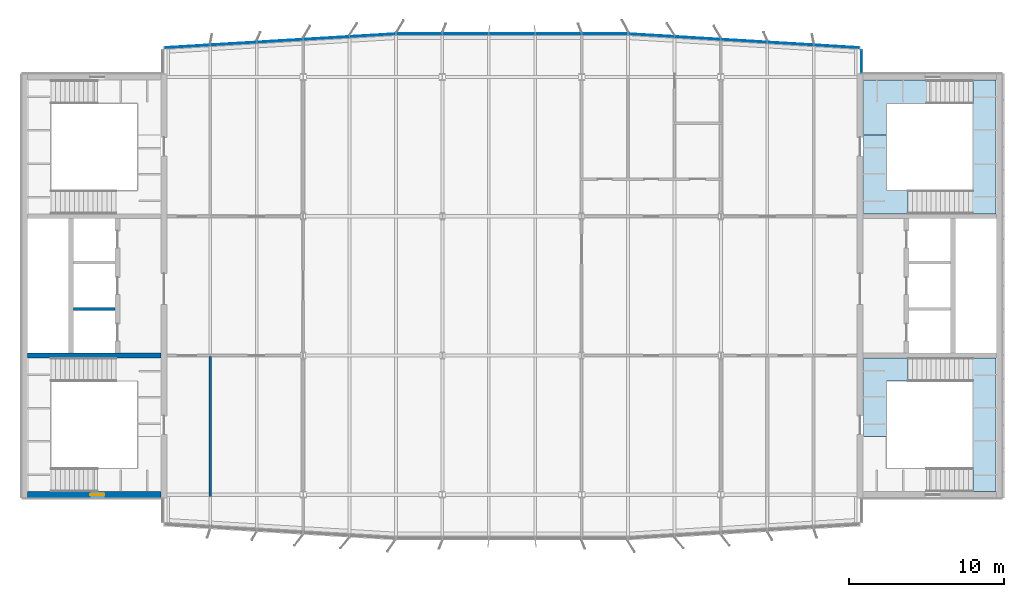
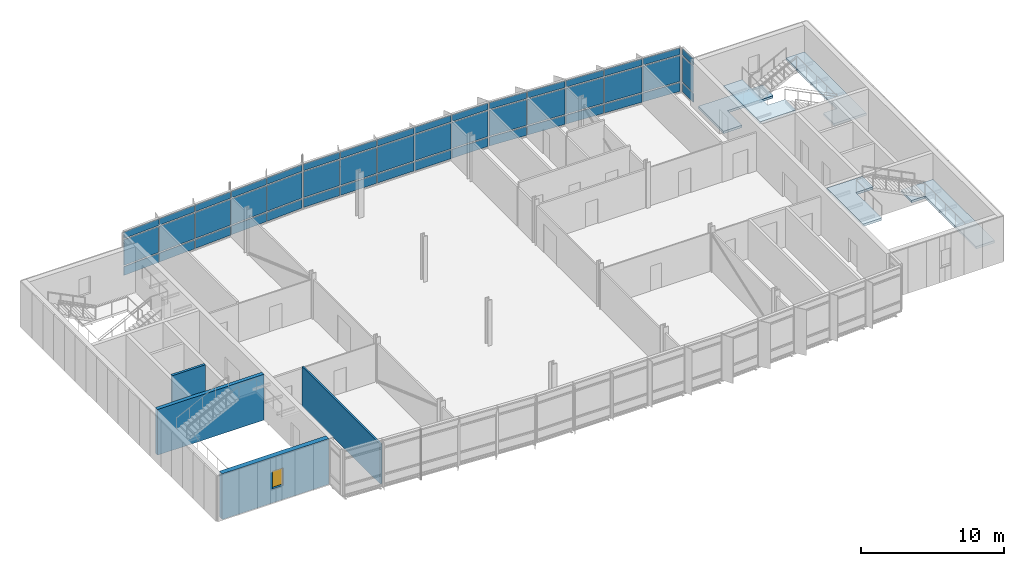
# One storey, part 11 of 18: 48 plates, 5 slabs, 4 walls, 1 window, 1 opening, 6 elements without a shape of their own.
"""IFC4 building model written with IfcOpenShell, lengths in metres."""

from ifc_helpers import new_model, si_unit, direction, frame, frame_2d, origin, origin_2d, place, context, subcontext, project, spatial, polyline, rectangle, outline, extrude, material, layer, layer_set, type_object, element, fill, aggregate, save


model = new_model("IFC4")

# Units and contexts
model_context = context("Model", 3, precision=1e-05, world=origin(), true_north=direction((0.0, 1.0)))
body_context = subcontext(model_context, "Body", "Model", "MODEL_VIEW")
ifc_project = project(units=[si_unit("LENGTHUNIT", "METRE"), si_unit("AREAUNIT", "SQUARE_METRE"), si_unit("VOLUMEUNIT", "CUBIC_METRE"), si_unit("PLANEANGLEUNIT", "RADIAN"), si_unit("MASSUNIT", "GRAM", prefix="KILO")], contexts=[model_context])

# Site, building, storey
site_placement = place(None, origin())
site = spatial("IfcSite", under=ifc_project, at=site_placement, CompositionType="ELEMENT")
building_placement = place(site_placement, origin())
building = spatial("IfcBuilding", under=site, at=building_placement, Name="Azimuth Sports and Learning Centre", CompositionType="ELEMENT")
storey_placement = place(building_placement, frame((0.0, 0.0, 59.699951171875)))
storey = spatial("IfcBuildingStorey", under=building, at=storey_placement, Name="L13", CompositionType="ELEMENT", Elevation=59.699951171875)

# Stair, slabs
ifc_material_1 = material(Name="Concrete C32/40", Category="concrete")
stair_type = type_object("IfcStairType", Name="Square-well stair core 3900 storey", PredefinedType="THREE_QUARTER_TURN_STAIR", material=ifc_material_1)
stair_1_placement = place(storey_placement, origin())
stair_1 = element("IfcStair", 1, at=stair_1_placement, inside=storey, type_object=stair_type, Name="Stair E1 L13-L14", PredefinedType="THREE_QUARTER_TURN_STAIR")
ifc_material_2 = material(Name="Concrete C32/40", Category="concrete")
ifc_layer_1 = layer(ifc_material_2, 0.199951171875)
ifc_layer_set_1 = layer_set([ifc_layer_1], Name="Concrete C32/40")
slab_type = type_object("IfcSlabType", Name="Concrete stair landing", PredefinedType="LANDING", material=ifc_layer_set_1)
slab_1_placement = place(storey_placement, frame((0.0, 0.0, 1.449951171875)))
slab_1 = element("IfcSlab", 2, at=slab_1_placement, type_object=slab_type, Name="Stair E1 L13 landing 2", PredefinedType="LANDING", context=body_context, shape_type="SweptSolid", body=[
    extrude(outline(polyline([(115.2900390625, 91.7099609375), (115.289306640625, 91.7099609375), (115.289306640625, 90.2099609375), (116.7900390625, 90.2099609375), (116.7900390625, 98.840087890625), (114.18994140625, 98.840087890625), (114.18994140625, 97.340087890625), (115.2900390625, 97.340087890625), (115.2900390625, 91.7099609375)])), origin(), (0.0, 0.0, 1.0), 0.2001953125),
])
slab_2_placement = place(storey_placement, frame((0.0, 0.0, 3.699951171875)))
slab_2 = element("IfcSlab", 3, at=slab_2_placement, type_object=slab_type, Name="Stair E1 L13 landing 3", PredefinedType="LANDING", context=body_context, shape_type="SweptSolid", body=[
    extrude(outline(polyline([(109.7099609375, 97.340087890625), (111.0908203125, 97.340087890625), (111.0908203125, 98.840087890625), (108.2099609375, 98.840087890625), (108.2099609375, 93.75), (109.7099609375, 93.75), (109.7099609375, 97.340087890625)])), origin(), (0.0, 0.0, 1.0), 0.2001953125),
])
aggregate(stair_1, [slab_1, slab_2])

stair_2_placement = place(storey_placement, origin())
stair_2 = element("IfcStair", 4, at=stair_2_placement, inside=storey, type_object=stair_type, Name="Stair E2 L13-L14", PredefinedType="THREE_QUARTER_TURN_STAIR")
slab_3_placement = place(storey_placement, frame((0.0, 0.0, -0.199951171875)))
slab_3 = element("IfcSlab", 5, at=slab_3_placement, type_object=slab_type, Name="Stair E2 L13 landing 1", PredefinedType="LANDING", context=body_context, shape_type="SweptSolid", body=[
    extrude(outline(polyline([(108.2099609375, 116.7900390625), (108.2099609375, 113.25), (109.7099609375, 113.25), (109.7099609375, 115.2900390625), (113.389892578125, 115.2900390625), (113.389892578125, 116.7900390625), (108.2099609375, 116.7900390625)])), origin(), (0.0, 0.0, 1.0), 0.199951171875),
])
slab_4_placement = place(storey_placement, frame((0.0, 0.0, 1.449951171875)))
slab_4 = element("IfcSlab", 6, at=slab_4_placement, type_object=slab_type, Name="Stair E2 L13 landing 2", PredefinedType="LANDING", context=body_context, shape_type="SweptSolid", body=[
    extrude(outline(polyline([(115.2900390625, 115.2900390625), (115.2900390625, 109.659912109375), (114.18994140625, 109.659912109375), (114.18994140625, 108.159912109375), (116.7900390625, 108.159912109375), (116.7900390625, 116.7900390625), (115.289306640625, 116.7900390625), (115.289306640625, 115.2900390625), (115.2900390625, 115.2900390625)])), origin(), (0.0, 0.0, 1.0), 0.2001953125),
])
slab_5_placement = place(storey_placement, frame((0.0, 0.0, 3.699951171875)))
slab_5 = element("IfcSlab", 7, at=slab_5_placement, type_object=slab_type, Name="Stair E2 L13 landing 3", PredefinedType="LANDING", context=body_context, shape_type="SweptSolid", body=[
    extrude(outline(polyline([(109.7099609375, 109.659912109375), (109.7099609375, 113.25), (108.2099609375, 113.25), (108.2099609375, 108.159912109375), (111.0908203125, 108.159912109375), (111.0908203125, 109.659912109375), (109.7099609375, 109.659912109375)])), origin(), (0.0, 0.0, 1.0), 0.2001953125),
])
aggregate(stair_2, [slab_3, slab_4, slab_5])

# Curtain wall, plates
ifc_material_3 = material(Name="Aluminium and glass", Category="aluminium")
curtain_wall_type_1 = type_object("IfcCurtainWallType", Name="Curtain wall tower return 180", PredefinedType="NOTDEFINED", material=ifc_material_3)
curtain_wall_1_placement = place(storey_placement, origin())
curtain_wall_1 = element("IfcCurtainWall", 8, at=curtain_wall_1_placement, inside=storey, type_object=curtain_wall_type_1, Name="Curtain wall CW13-006", PredefinedType="NOTDEFINED")
ifc_material_4 = material(Name="Insulated aluminium panel", Category="aluminium")
ifc_layer_2 = layer(ifc_material_4, 0.050048828125)
ifc_layer_set_2 = layer_set([ifc_layer_2], Name="Insulated aluminium panel")
plate_type_1 = type_object("IfcPlateType", Name="Spandrel panel 50 mm", PredefinedType="CURTAIN_PANEL", material=ifc_layer_set_2)
plate_1_placement = place(storey_placement, frame((108.090087890625, 118.0, 0.10009765625), z_axis=(0.0, 0.0, 1.0), x_axis=(0.0, 1.0, 0.0)))
plate_1 = element("IfcPlate", 9, at=plate_1_placement, type_object=plate_type_1, Name="CW13-006 panel 1.1", PredefinedType="CURTAIN_PANEL", context=body_context, shape_type="SweptSolid", body=[
    extrude(rectangle(XDim=1.47998046875, YDim=0.050048828125, at=origin_2d()), origin(), (0.0, 0.0, 1.0), 0.75),
])
plate_2_placement = place(storey_placement, frame((108.090087890625, 118.0, 3.25), z_axis=(0.0, 0.0, 1.0), x_axis=(0.0, 1.0, 0.0)))
plate_2 = element("IfcPlate", 10, at=plate_2_placement, type_object=plate_type_1, Name="CW13-006 panel 1.3", PredefinedType="CURTAIN_PANEL", context=body_context, shape_type="SweptSolid", body=[
    extrude(rectangle(XDim=1.47998046875, YDim=0.050048828125, at=origin_2d()), origin(), (0.0, 0.0, 1.0), 0.550048828125),
])

ifc_material_5 = material(Name="Aluminium and glass", Category="aluminium")
curtain_wall_type_2 = type_object("IfcCurtainWallType", Name="Curtain wall tower north 180", PredefinedType="NOTDEFINED", material=ifc_material_5)
curtain_wall_2_placement = place(storey_placement, origin())
curtain_wall_2 = element("IfcCurtainWall", 11, at=curtain_wall_2_placement, inside=storey, type_object=curtain_wall_type_2, Name="Curtain wall CW13-007", PredefinedType="NOTDEFINED")
plate_3_placement = place(storey_placement, frame((106.490478515625, 118.980712890625, 0.10009765625), z_axis=(0.0, 0.0, 1.0), x_axis=(-0.998204863401, 0.059891991812, 0.0)))
plate_3 = element("IfcPlate", 12, at=plate_3_placement, type_object=plate_type_1, Name="CW13-007 panel 1.1", PredefinedType="CURTAIN_PANEL", context=body_context, shape_type="SweptSolid", body=[
    extrude(rectangle(XDim=2.915283203125, YDim=0.050048828125, at=origin_2d()), origin(), (0.0, 0.0, 1.0), 0.75),
])
plate_4_placement = place(storey_placement, frame((106.490478515625, 118.980712890625, 3.25), z_axis=(0.0, 0.0, 1.0), x_axis=(-0.998204863401, 0.059891991812, 0.0)))
plate_4 = element("IfcPlate", 13, at=plate_4_placement, type_object=plate_type_1, Name="CW13-007 panel 1.3", PredefinedType="CURTAIN_PANEL", context=body_context, shape_type="SweptSolid", body=[
    extrude(rectangle(XDim=2.915283203125, YDim=0.050048828125, at=origin_2d()), origin(), (0.0, 0.0, 1.0), 0.550048828125),
])
plate_5_placement = place(storey_placement, frame((103.50537109375, 119.159912109375, 0.10009765625), z_axis=(0.0, 0.0, 1.0), x_axis=(-0.998204863401, 0.059891991812, 0.0)))
plate_5 = element("IfcPlate", 14, at=plate_5_placement, type_object=plate_type_1, Name="CW13-007 panel 2.1", PredefinedType="CURTAIN_PANEL", context=body_context, shape_type="SweptSolid", body=[
    extrude(rectangle(XDim=2.9453125, YDim=0.050048828125, at=origin_2d()), origin(), (0.0, 0.0, 1.0), 0.75),
])
plate_6_placement = place(storey_placement, frame((103.50537109375, 119.159912109375, 3.25), z_axis=(0.0, 0.0, 1.0), x_axis=(-0.998204863401, 0.059891991812, 0.0)))
plate_6 = element("IfcPlate", 15, at=plate_6_placement, type_object=plate_type_1, Name="CW13-007 panel 2.3", PredefinedType="CURTAIN_PANEL", context=body_context, shape_type="SweptSolid", body=[
    extrude(rectangle(XDim=2.9453125, YDim=0.050048828125, at=origin_2d()), origin(), (0.0, 0.0, 1.0), 0.550048828125),
])
plate_7_placement = place(storey_placement, frame((100.50537109375, 119.33984375, 0.10009765625), z_axis=(0.0, 0.0, 1.0), x_axis=(-0.998204863401, 0.059891991812, 0.0)))
plate_7 = element("IfcPlate", 16, at=plate_7_placement, type_object=plate_type_1, Name="CW13-007 panel 3.1", PredefinedType="CURTAIN_PANEL", context=body_context, shape_type="SweptSolid", body=[
    extrude(rectangle(XDim=2.9453125, YDim=0.050048828125, at=origin_2d()), origin(), (0.0, 0.0, 1.0), 0.75),
])
plate_8_placement = place(storey_placement, frame((100.50537109375, 119.33984375, 3.25), z_axis=(0.0, 0.0, 1.0), x_axis=(-0.998204863401, 0.059891991812, 0.0)))
plate_8 = element("IfcPlate", 17, at=plate_8_placement, type_object=plate_type_1, Name="CW13-007 panel 3.3", PredefinedType="CURTAIN_PANEL", context=body_context, shape_type="SweptSolid", body=[
    extrude(rectangle(XDim=2.9453125, YDim=0.050048828125, at=origin_2d()), origin(), (0.0, 0.0, 1.0), 0.550048828125),
])
plate_9_placement = place(storey_placement, frame((97.50537109375, 119.519775390625, 0.10009765625), z_axis=(0.0, 0.0, 1.0), x_axis=(-0.998204863401, 0.059891991812, 0.0)))
plate_9 = element("IfcPlate", 18, at=plate_9_placement, type_object=plate_type_1, Name="CW13-007 panel 4.1", PredefinedType="CURTAIN_PANEL", context=body_context, shape_type="SweptSolid", body=[
    extrude(rectangle(XDim=2.9453125, YDim=0.050048828125, at=origin_2d()), origin(), (0.0, 0.0, 1.0), 0.75),
])
plate_10_placement = place(storey_placement, frame((97.50537109375, 119.519775390625, 3.25), z_axis=(0.0, 0.0, 1.0), x_axis=(-0.998204863401, 0.059891991812, 0.0)))
plate_10 = element("IfcPlate", 19, at=plate_10_placement, type_object=plate_type_1, Name="CW13-007 panel 4.3", PredefinedType="CURTAIN_PANEL", context=body_context, shape_type="SweptSolid", body=[
    extrude(rectangle(XDim=2.9453125, YDim=0.050048828125, at=origin_2d()), origin(), (0.0, 0.0, 1.0), 0.550048828125),
])
plate_11_placement = place(storey_placement, frame((94.520263671875, 119.698974609375, 0.10009765625), z_axis=(0.0, 0.0, 1.0), x_axis=(-0.998204863401, 0.059891991812, 0.0)))
plate_11 = element("IfcPlate", 20, at=plate_11_placement, type_object=plate_type_1, Name="CW13-007 panel 5.1", PredefinedType="CURTAIN_PANEL", context=body_context, shape_type="SweptSolid", body=[
    extrude(rectangle(XDim=2.915283203125, YDim=0.050048828125, at=origin_2d()), origin(), (0.0, 0.0, 1.0), 0.75),
])
plate_12_placement = place(storey_placement, frame((94.520263671875, 119.698974609375, 3.25), z_axis=(0.0, 0.0, 1.0), x_axis=(-0.998204863401, 0.059891991812, 0.0)))
plate_12 = element("IfcPlate", 21, at=plate_12_placement, type_object=plate_type_1, Name="CW13-007 panel 5.3", PredefinedType="CURTAIN_PANEL", context=body_context, shape_type="SweptSolid", body=[
    extrude(rectangle(XDim=2.915283203125, YDim=0.050048828125, at=origin_2d()), origin(), (0.0, 0.0, 1.0), 0.550048828125),
])

curtain_wall_3_placement = place(storey_placement, origin())
curtain_wall_3 = element("IfcCurtainWall", 22, at=curtain_wall_3_placement, inside=storey, type_object=curtain_wall_type_2, Name="Curtain wall CW13-008", PredefinedType="NOTDEFINED")
plate_13_placement = place(storey_placement, frame((91.48779296875, 119.7900390625, 0.10009765625), z_axis=(0.0, 0.0, 1.0), x_axis=(-1.0, 0.0, 0.0)))
plate_13 = element("IfcPlate", 23, at=plate_13_placement, type_object=plate_type_1, Name="CW13-008 panel 1.1", PredefinedType="CURTAIN_PANEL", context=body_context, shape_type="SweptSolid", body=[
    extrude(rectangle(XDim=2.915283203125, YDim=0.050048828125, at=origin_2d()), origin(), (0.0, 0.0, 1.0), 0.75),
])
plate_14_placement = place(storey_placement, frame((91.48779296875, 119.7900390625, 3.25), z_axis=(0.0, 0.0, 1.0), x_axis=(-1.0, 0.0, 0.0)))
plate_14 = element("IfcPlate", 24, at=plate_14_placement, type_object=plate_type_1, Name="CW13-008 panel 1.3", PredefinedType="CURTAIN_PANEL", context=body_context, shape_type="SweptSolid", body=[
    extrude(rectangle(XDim=2.915283203125, YDim=0.050048828125, at=origin_2d()), origin(), (0.0, 0.0, 1.0), 0.550048828125),
])
plate_15_placement = place(storey_placement, frame((88.5, 119.7900390625, 0.10009765625), z_axis=(0.0, 0.0, 1.0), x_axis=(-1.0, 0.0, 0.0)))
plate_15 = element("IfcPlate", 25, at=plate_15_placement, type_object=plate_type_1, Name="CW13-008 panel 2.1", PredefinedType="CURTAIN_PANEL", context=body_context, shape_type="SweptSolid", body=[
    extrude(rectangle(XDim=2.93994140625, YDim=0.050048828125, at=origin_2d()), origin(), (0.0, 0.0, 1.0), 0.75),
])
plate_16_placement = place(storey_placement, frame((88.5, 119.7900390625, 3.25), z_axis=(0.0, 0.0, 1.0), x_axis=(-1.0, 0.0, 0.0)))
plate_16 = element("IfcPlate", 26, at=plate_16_placement, type_object=plate_type_1, Name="CW13-008 panel 2.3", PredefinedType="CURTAIN_PANEL", context=body_context, shape_type="SweptSolid", body=[
    extrude(rectangle(XDim=2.93994140625, YDim=0.050048828125, at=origin_2d()), origin(), (0.0, 0.0, 1.0), 0.550048828125),
])
plate_17_placement = place(storey_placement, frame((85.5, 119.7900390625, 0.10009765625), z_axis=(0.0, 0.0, 1.0), x_axis=(-1.0, 0.0, 0.0)))
plate_17 = element("IfcPlate", 27, at=plate_17_placement, type_object=plate_type_1, Name="CW13-008 panel 3.1", PredefinedType="CURTAIN_PANEL", context=body_context, shape_type="SweptSolid", body=[
    extrude(rectangle(XDim=2.93994140625, YDim=0.050048828125, at=origin_2d()), origin(), (0.0, 0.0, 1.0), 0.75),
])
plate_18_placement = place(storey_placement, frame((85.5, 119.7900390625, 3.25), z_axis=(0.0, 0.0, 1.0), x_axis=(-1.0, 0.0, 0.0)))
plate_18 = element("IfcPlate", 28, at=plate_18_placement, type_object=plate_type_1, Name="CW13-008 panel 3.3", PredefinedType="CURTAIN_PANEL", context=body_context, shape_type="SweptSolid", body=[
    extrude(rectangle(XDim=2.93994140625, YDim=0.050048828125, at=origin_2d()), origin(), (0.0, 0.0, 1.0), 0.550048828125),
])
plate_19_placement = place(storey_placement, frame((82.5, 119.7900390625, 0.10009765625), z_axis=(0.0, 0.0, 1.0), x_axis=(-1.0, 0.0, 0.0)))
plate_19 = element("IfcPlate", 29, at=plate_19_placement, type_object=plate_type_1, Name="CW13-008 panel 4.1", PredefinedType="CURTAIN_PANEL", context=body_context, shape_type="SweptSolid", body=[
    extrude(rectangle(XDim=2.93994140625, YDim=0.050048828125, at=origin_2d()), origin(), (0.0, 0.0, 1.0), 0.75),
])
plate_20_placement = place(storey_placement, frame((82.5, 119.7900390625, 3.25), z_axis=(0.0, 0.0, 1.0), x_axis=(-1.0, 0.0, 0.0)))
plate_20 = element("IfcPlate", 30, at=plate_20_placement, type_object=plate_type_1, Name="CW13-008 panel 4.3", PredefinedType="CURTAIN_PANEL", context=body_context, shape_type="SweptSolid", body=[
    extrude(rectangle(XDim=2.93994140625, YDim=0.050048828125, at=origin_2d()), origin(), (0.0, 0.0, 1.0), 0.550048828125),
])
plate_21_placement = place(storey_placement, frame((79.514892578125, 119.7900390625, 0.10009765625), z_axis=(0.0, 0.0, 1.0), x_axis=(-1.0, 0.0, 0.0)))
plate_21 = element("IfcPlate", 31, at=plate_21_placement, type_object=plate_type_1, Name="CW13-008 panel 5.1", PredefinedType="CURTAIN_PANEL", context=body_context, shape_type="SweptSolid", body=[
    extrude(rectangle(XDim=2.909912109375, YDim=0.050048828125, at=origin_2d()), origin(), (0.0, 0.0, 1.0), 0.75),
])
plate_22_placement = place(storey_placement, frame((79.514892578125, 119.7900390625, 3.25), z_axis=(0.0, 0.0, 1.0), x_axis=(-1.0, 0.0, 0.0)))
plate_22 = element("IfcPlate", 32, at=plate_22_placement, type_object=plate_type_1, Name="CW13-008 panel 5.3", PredefinedType="CURTAIN_PANEL", context=body_context, shape_type="SweptSolid", body=[
    extrude(rectangle(XDim=2.909912109375, YDim=0.050048828125, at=origin_2d()), origin(), (0.0, 0.0, 1.0), 0.550048828125),
])

curtain_wall_4_placement = place(storey_placement, origin())
curtain_wall_4 = element("IfcCurtainWall", 33, at=curtain_wall_4_placement, inside=storey, type_object=curtain_wall_type_2, Name="Curtain wall CW13-009", PredefinedType="NOTDEFINED")
plate_23_placement = place(storey_placement, frame((76.482421875, 119.69921875, 0.10009765625), z_axis=(0.0, 0.0, 1.0), x_axis=(-0.998204863401, -0.059891991812, 0.0)))
plate_23 = element("IfcPlate", 34, at=plate_23_placement, type_object=plate_type_1, Name="CW13-009 panel 1.1", PredefinedType="CURTAIN_PANEL", context=body_context, shape_type="SweptSolid", body=[
    extrude(rectangle(XDim=2.9208984375, YDim=0.050048828125, at=origin_2d()), origin(), (0.0, 0.0, 1.0), 0.75),
])
plate_24_placement = place(storey_placement, frame((76.482421875, 119.69921875, 3.25), z_axis=(0.0, 0.0, 1.0), x_axis=(-0.998204863401, -0.059891991812, 0.0)))
plate_24 = element("IfcPlate", 35, at=plate_24_placement, type_object=plate_type_1, Name="CW13-009 panel 1.3", PredefinedType="CURTAIN_PANEL", context=body_context, shape_type="SweptSolid", body=[
    extrude(rectangle(XDim=2.9208984375, YDim=0.050048828125, at=origin_2d()), origin(), (0.0, 0.0, 1.0), 0.550048828125),
])
plate_25_placement = place(storey_placement, frame((73.49462890625, 119.519775390625, 0.10009765625), z_axis=(0.0, 0.0, 1.0), x_axis=(-0.998204863401, -0.059891991812, 0.0)))
plate_25 = element("IfcPlate", 36, at=plate_25_placement, type_object=plate_type_1, Name="CW13-009 panel 2.1", PredefinedType="CURTAIN_PANEL", context=body_context, shape_type="SweptSolid", body=[
    extrude(rectangle(XDim=2.9453125, YDim=0.050048828125, at=origin_2d()), origin(), (0.0, 0.0, 1.0), 0.75),
])
plate_26_placement = place(storey_placement, frame((73.49462890625, 119.519775390625, 3.25), z_axis=(0.0, 0.0, 1.0), x_axis=(-0.998204863401, -0.059891991812, 0.0)))
plate_26 = element("IfcPlate", 37, at=plate_26_placement, type_object=plate_type_1, Name="CW13-009 panel 2.3", PredefinedType="CURTAIN_PANEL", context=body_context, shape_type="SweptSolid", body=[
    extrude(rectangle(XDim=2.9453125, YDim=0.050048828125, at=origin_2d()), origin(), (0.0, 0.0, 1.0), 0.550048828125),
])
plate_27_placement = place(storey_placement, frame((70.49462890625, 119.33984375, 0.10009765625), z_axis=(0.0, 0.0, 1.0), x_axis=(-0.998204863401, -0.059891991812, 0.0)))
plate_27 = element("IfcPlate", 38, at=plate_27_placement, type_object=plate_type_1, Name="CW13-009 panel 3.1", PredefinedType="CURTAIN_PANEL", context=body_context, shape_type="SweptSolid", body=[
    extrude(rectangle(XDim=2.9453125, YDim=0.050048828125, at=origin_2d()), origin(), (0.0, 0.0, 1.0), 0.75),
])
plate_28_placement = place(storey_placement, frame((70.49462890625, 119.33984375, 3.25), z_axis=(0.0, 0.0, 1.0), x_axis=(-0.998204863401, -0.059891991812, 0.0)))
plate_28 = element("IfcPlate", 39, at=plate_28_placement, type_object=plate_type_1, Name="CW13-009 panel 3.3", PredefinedType="CURTAIN_PANEL", context=body_context, shape_type="SweptSolid", body=[
    extrude(rectangle(XDim=2.9453125, YDim=0.050048828125, at=origin_2d()), origin(), (0.0, 0.0, 1.0), 0.550048828125),
])
plate_29_placement = place(storey_placement, frame((67.49462890625, 119.159912109375, 0.10009765625), z_axis=(0.0, 0.0, 1.0), x_axis=(-0.998204863401, -0.059891991812, 0.0)))
plate_29 = element("IfcPlate", 40, at=plate_29_placement, type_object=plate_type_1, Name="CW13-009 panel 4.1", PredefinedType="CURTAIN_PANEL", context=body_context, shape_type="SweptSolid", body=[
    extrude(rectangle(XDim=2.9453125, YDim=0.050048828125, at=origin_2d()), origin(), (0.0, 0.0, 1.0), 0.75),
])
plate_30_placement = place(storey_placement, frame((67.49462890625, 119.159912109375, 3.25), z_axis=(0.0, 0.0, 1.0), x_axis=(-0.998204863401, -0.059891991812, 0.0)))
plate_30 = element("IfcPlate", 41, at=plate_30_placement, type_object=plate_type_1, Name="CW13-009 panel 4.3", PredefinedType="CURTAIN_PANEL", context=body_context, shape_type="SweptSolid", body=[
    extrude(rectangle(XDim=2.9453125, YDim=0.050048828125, at=origin_2d()), origin(), (0.0, 0.0, 1.0), 0.550048828125),
])
plate_31_placement = place(storey_placement, frame((64.509521484375, 118.980712890625, 0.10009765625), z_axis=(0.0, 0.0, 1.0), x_axis=(-0.998204863401, -0.059891991812, 0.0)))
plate_31 = element("IfcPlate", 42, at=plate_31_placement, type_object=plate_type_1, Name="CW13-009 panel 5.1", PredefinedType="CURTAIN_PANEL", context=body_context, shape_type="SweptSolid", body=[
    extrude(rectangle(XDim=2.915283203125, YDim=0.050048828125, at=origin_2d()), origin(), (0.0, 0.0, 1.0), 0.75),
])
plate_32_placement = place(storey_placement, frame((64.509521484375, 118.980712890625, 3.25), z_axis=(0.0, 0.0, 1.0), x_axis=(-0.998204863401, -0.059891991812, 0.0)))
plate_32 = element("IfcPlate", 43, at=plate_32_placement, type_object=plate_type_1, Name="CW13-009 panel 5.3", PredefinedType="CURTAIN_PANEL", context=body_context, shape_type="SweptSolid", body=[
    extrude(rectangle(XDim=2.915283203125, YDim=0.050048828125, at=origin_2d()), origin(), (0.0, 0.0, 1.0), 0.550048828125),
])

# Plate
ifc_material_6 = material(Name="Glass", Category="glass")
ifc_layer_3 = layer(ifc_material_6, 0.031982421875)
ifc_layer_set_3 = layer_set([ifc_layer_3], Name="Glass")
plate_type_2 = type_object("IfcPlateType", Name="Vision glass 32 mm", PredefinedType="CURTAIN_PANEL", material=ifc_layer_set_3)
plate_33_placement = place(storey_placement, frame((108.090087890625, 118.0, 0.9501953125), z_axis=(0.0, 0.0, 1.0), x_axis=(0.0, 1.0, 0.0)))
plate_33 = element("IfcPlate", 44, at=plate_33_placement, type_object=plate_type_2, Name="CW13-006 panel 1.2", PredefinedType="CURTAIN_PANEL", context=body_context, shape_type="SweptSolid", body=[
    extrude(rectangle(XDim=1.47998046875, YDim=0.031982421875, at=origin_2d()), origin(), (0.0, 0.0, 1.0), 2.199951171875),
])

aggregate(curtain_wall_1, [plate_1, plate_33, plate_2])

plate_34_placement = place(storey_placement, frame((106.490478515625, 118.980712890625, 0.9501953125), z_axis=(0.0, 0.0, 1.0), x_axis=(-0.998204863401, 0.059891991812, 0.0)))
plate_34 = element("IfcPlate", 45, at=plate_34_placement, type_object=plate_type_2, Name="CW13-007 panel 1.2", PredefinedType="CURTAIN_PANEL", context=body_context, shape_type="SweptSolid", body=[
    extrude(rectangle(XDim=2.915283203125, YDim=0.031982421875, at=origin_2d()), origin(), (0.0, 0.0, 1.0), 2.199951171875),
])

plate_35_placement = place(storey_placement, frame((103.50537109375, 119.159912109375, 0.9501953125), z_axis=(0.0, 0.0, 1.0), x_axis=(-0.998204863401, 0.059891991812, 0.0)))
plate_35 = element("IfcPlate", 46, at=plate_35_placement, type_object=plate_type_2, Name="CW13-007 panel 2.2", PredefinedType="CURTAIN_PANEL", context=body_context, shape_type="SweptSolid", body=[
    extrude(rectangle(XDim=2.9453125, YDim=0.031982421875, at=origin_2d()), origin(), (0.0, 0.0, 1.0), 2.199951171875),
])

plate_36_placement = place(storey_placement, frame((100.50537109375, 119.33984375, 0.9501953125), z_axis=(0.0, 0.0, 1.0), x_axis=(-0.998204863401, 0.059891991812, 0.0)))
plate_36 = element("IfcPlate", 47, at=plate_36_placement, type_object=plate_type_2, Name="CW13-007 panel 3.2", PredefinedType="CURTAIN_PANEL", context=body_context, shape_type="SweptSolid", body=[
    extrude(rectangle(XDim=2.9453125, YDim=0.031982421875, at=origin_2d()), origin(), (0.0, 0.0, 1.0), 2.199951171875),
])

plate_37_placement = place(storey_placement, frame((97.50537109375, 119.519775390625, 0.9501953125), z_axis=(0.0, 0.0, 1.0), x_axis=(-0.998204863401, 0.059891991812, 0.0)))
plate_37 = element("IfcPlate", 48, at=plate_37_placement, type_object=plate_type_2, Name="CW13-007 panel 4.2", PredefinedType="CURTAIN_PANEL", context=body_context, shape_type="SweptSolid", body=[
    extrude(rectangle(XDim=2.9453125, YDim=0.031982421875, at=origin_2d()), origin(), (0.0, 0.0, 1.0), 2.199951171875),
])

plate_38_placement = place(storey_placement, frame((94.520263671875, 119.698974609375, 0.9501953125), z_axis=(0.0, 0.0, 1.0), x_axis=(-0.998204863401, 0.059891991812, 0.0)))
plate_38 = element("IfcPlate", 49, at=plate_38_placement, type_object=plate_type_2, Name="CW13-007 panel 5.2", PredefinedType="CURTAIN_PANEL", context=body_context, shape_type="SweptSolid", body=[
    extrude(rectangle(XDim=2.915283203125, YDim=0.031982421875, at=origin_2d()), origin(), (0.0, 0.0, 1.0), 2.199951171875),
])

aggregate(curtain_wall_2, [plate_3, plate_34, plate_4, plate_5, plate_35, plate_6, plate_7, plate_36, plate_8, plate_9, plate_37, plate_10, plate_11, plate_38, plate_12])

plate_39_placement = place(storey_placement, frame((91.48779296875, 119.7900390625, 0.9501953125), z_axis=(0.0, 0.0, 1.0), x_axis=(-1.0, 0.0, 0.0)))
plate_39 = element("IfcPlate", 50, at=plate_39_placement, type_object=plate_type_2, Name="CW13-008 panel 1.2", PredefinedType="CURTAIN_PANEL", context=body_context, shape_type="SweptSolid", body=[
    extrude(rectangle(XDim=2.915283203125, YDim=0.031982421875, at=origin_2d()), origin(), (0.0, 0.0, 1.0), 2.199951171875),
])

plate_40_placement = place(storey_placement, frame((88.5, 119.7900390625, 0.9501953125), z_axis=(0.0, 0.0, 1.0), x_axis=(-1.0, 0.0, 0.0)))
plate_40 = element("IfcPlate", 51, at=plate_40_placement, type_object=plate_type_2, Name="CW13-008 panel 2.2", PredefinedType="CURTAIN_PANEL", context=body_context, shape_type="SweptSolid", body=[
    extrude(rectangle(XDim=2.93994140625, YDim=0.031982421875, at=origin_2d()), origin(), (0.0, 0.0, 1.0), 2.199951171875),
])

plate_41_placement = place(storey_placement, frame((85.5, 119.7900390625, 0.9501953125), z_axis=(0.0, 0.0, 1.0), x_axis=(-1.0, 0.0, 0.0)))
plate_41 = element("IfcPlate", 52, at=plate_41_placement, type_object=plate_type_2, Name="CW13-008 panel 3.2", PredefinedType="CURTAIN_PANEL", context=body_context, shape_type="SweptSolid", body=[
    extrude(rectangle(XDim=2.93994140625, YDim=0.031982421875, at=origin_2d()), origin(), (0.0, 0.0, 1.0), 2.199951171875),
])

plate_42_placement = place(storey_placement, frame((82.5, 119.7900390625, 0.9501953125), z_axis=(0.0, 0.0, 1.0), x_axis=(-1.0, 0.0, 0.0)))
plate_42 = element("IfcPlate", 53, at=plate_42_placement, type_object=plate_type_2, Name="CW13-008 panel 4.2", PredefinedType="CURTAIN_PANEL", context=body_context, shape_type="SweptSolid", body=[
    extrude(rectangle(XDim=2.93994140625, YDim=0.031982421875, at=origin_2d()), origin(), (0.0, 0.0, 1.0), 2.199951171875),
])

plate_43_placement = place(storey_placement, frame((79.514892578125, 119.7900390625, 0.9501953125), z_axis=(0.0, 0.0, 1.0), x_axis=(-1.0, 0.0, 0.0)))
plate_43 = element("IfcPlate", 54, at=plate_43_placement, type_object=plate_type_2, Name="CW13-008 panel 5.2", PredefinedType="CURTAIN_PANEL", context=body_context, shape_type="SweptSolid", body=[
    extrude(rectangle(XDim=2.909912109375, YDim=0.031982421875, at=origin_2d()), origin(), (0.0, 0.0, 1.0), 2.199951171875),
])

aggregate(curtain_wall_3, [plate_13, plate_39, plate_14, plate_15, plate_40, plate_16, plate_17, plate_41, plate_18, plate_19, plate_42, plate_20, plate_21, plate_43, plate_22])

plate_44_placement = place(storey_placement, frame((76.482421875, 119.69921875, 0.9501953125), z_axis=(0.0, 0.0, 1.0), x_axis=(-0.998204863401, -0.059891991812, 0.0)))
plate_44 = element("IfcPlate", 55, at=plate_44_placement, type_object=plate_type_2, Name="CW13-009 panel 1.2", PredefinedType="CURTAIN_PANEL", context=body_context, shape_type="SweptSolid", body=[
    extrude(rectangle(XDim=2.9208984375, YDim=0.031982421875, at=origin_2d()), origin(), (0.0, 0.0, 1.0), 2.199951171875),
])

plate_45_placement = place(storey_placement, frame((73.49462890625, 119.519775390625, 0.9501953125), z_axis=(0.0, 0.0, 1.0), x_axis=(-0.998204863401, -0.059891991812, 0.0)))
plate_45 = element("IfcPlate", 56, at=plate_45_placement, type_object=plate_type_2, Name="CW13-009 panel 2.2", PredefinedType="CURTAIN_PANEL", context=body_context, shape_type="SweptSolid", body=[
    extrude(rectangle(XDim=2.9453125, YDim=0.031982421875, at=origin_2d()), origin(), (0.0, 0.0, 1.0), 2.199951171875),
])

plate_46_placement = place(storey_placement, frame((70.49462890625, 119.33984375, 0.9501953125), z_axis=(0.0, 0.0, 1.0), x_axis=(-0.998204863401, -0.059891991812, 0.0)))
plate_46 = element("IfcPlate", 57, at=plate_46_placement, type_object=plate_type_2, Name="CW13-009 panel 3.2", PredefinedType="CURTAIN_PANEL", context=body_context, shape_type="SweptSolid", body=[
    extrude(rectangle(XDim=2.9453125, YDim=0.031982421875, at=origin_2d()), origin(), (0.0, 0.0, 1.0), 2.199951171875),
])

plate_47_placement = place(storey_placement, frame((67.49462890625, 119.159912109375, 0.9501953125), z_axis=(0.0, 0.0, 1.0), x_axis=(-0.998204863401, -0.059891991812, 0.0)))
plate_47 = element("IfcPlate", 58, at=plate_47_placement, type_object=plate_type_2, Name="CW13-009 panel 4.2", PredefinedType="CURTAIN_PANEL", context=body_context, shape_type="SweptSolid", body=[
    extrude(rectangle(XDim=2.9453125, YDim=0.031982421875, at=origin_2d()), origin(), (0.0, 0.0, 1.0), 2.199951171875),
])

plate_48_placement = place(storey_placement, frame((64.509521484375, 118.980712890625, 0.9501953125), z_axis=(0.0, 0.0, 1.0), x_axis=(-0.998204863401, -0.059891991812, 0.0)))
plate_48 = element("IfcPlate", 59, at=plate_48_placement, type_object=plate_type_2, Name="CW13-009 panel 5.2", PredefinedType="CURTAIN_PANEL", context=body_context, shape_type="SweptSolid", body=[
    extrude(rectangle(XDim=2.915283203125, YDim=0.031982421875, at=origin_2d()), origin(), (0.0, 0.0, 1.0), 2.199951171875),
])

aggregate(curtain_wall_4, [plate_23, plate_44, plate_24, plate_25, plate_45, plate_26, plate_27, plate_46, plate_28, plate_29, plate_47, plate_30, plate_31, plate_48, plate_32])

# Walls
ifc_material_7 = material(Name="Dense masonry blockwork", Category="masonry")
ifc_layer_4 = layer(ifc_material_7, 0.199951171875)
ifc_layer_set_4 = layer_set([ifc_layer_4], Name="Dense masonry blockwork")
wall_type_1 = type_object("IfcWallType", Name="Blockwork wall 200 EI 120", PredefinedType="SOLIDWALL", material=ifc_layer_set_4)
wall_1_placement = place(storey_placement, frame((57.14990234375, 102.0, 0.0), z_axis=(0.0, 0.0, 1.0), x_axis=(1.0, 0.0, 0.0)))
element("IfcWall", 60, at=wall_1_placement, inside=storey, type_object=wall_type_1, Name="SD-W-1-L13", PredefinedType="SOLIDWALL", context=body_context, shape_type="SweptSolid", body=[
    extrude(rectangle(XDim=2.7001953125, YDim=0.199951171875, at=frame_2d((1.35009765625, 0.0))), origin(), (0.0, 0.0, 1.0), 3.900146484375),
])
ifc_material_8 = material(Name="Lightweight blockwork, rendered", Category="masonry")
ifc_layer_5 = layer(ifc_material_8, 0.14990234375)
ifc_layer_set_5 = layer_set([ifc_layer_5], Name="Lightweight blockwork, rendered")
wall_type_2 = type_object("IfcWallType", Name="Partition 150 EI 60", PredefinedType="PARTITIONING", material=ifc_layer_set_5)
wall_2_placement = place(storey_placement, frame((66.0, 88.02001953125, 0.0), z_axis=(0.0, 0.0, 1.0), x_axis=(0.0, 1.0, 0.0)))
element("IfcWall", 61, at=wall_2_placement, inside=storey, type_object=wall_type_2, Name="Partition Stair Lobby W1 13.01 / Classroom 13.07", PredefinedType="PARTITIONING", context=body_context, shape_type="SweptSolid", body=[
    extrude(rectangle(XDim=10.905029296875, YDim=0.14990234375, at=frame_2d((5.45263671875, 0.0))), origin(), (0.0, 0.0, 1.0), 3.41015625),
])
ifc_material_9 = material(Name="Concrete C40/50", Category="concrete")
ifc_layer_6 = layer(ifc_material_9, 0.300048828125)
ifc_layer_set_6 = layer_set([ifc_layer_6], Name="Concrete C40/50")
wall_type_3 = type_object("IfcWallType", Name="RC core wall 300", PredefinedType="SHEAR", material=ifc_layer_set_6)
wall_3_placement = place(storey_placement, frame((54.199951171875, 99.0, 0.0), z_axis=(0.0, 0.0, 1.0), x_axis=(1.0, 0.0, 0.0)))
element("IfcWall", 62, at=wall_3_placement, inside=storey, type_object=wall_type_3, Name="Core wall W D1 L13", PredefinedType="SHEAR", context=body_context, shape_type="SweptSolid", body=[
    extrude(rectangle(XDim=8.60009765625, YDim=0.300048828125, at=frame_2d((4.300048828125, 0.0))), origin(), (0.0, 0.0, 1.0), 3.900146484375),
])

# Wall, opening, window
ifc_material_10 = material(Name="Concrete C40/50", Category="concrete")
ifc_layer_7 = layer(ifc_material_10, 0.39990234375)
ifc_layer_set_7 = layer_set([ifc_layer_7], Name="Concrete C40/50")
wall_type_4 = type_object("IfcWallType", Name="RC external core wall 400", PredefinedType="SHEAR", material=ifc_layer_set_7)
wall_4_placement = place(storey_placement, frame((54.199951171875, 90.0, 0.0), z_axis=(0.0, 0.0, 1.0), x_axis=(1.0, 0.0, 0.0)))
wall_4 = element("IfcWall", 63, at=wall_4_placement, inside=storey, type_object=wall_type_4, Name="Core wall W S L13", PredefinedType="SHEAR", context=body_context, shape_type="SweptSolid", body=[
    extrude(rectangle(XDim=8.60009765625, YDim=0.39990234375, at=frame_2d((4.300048828125, 0.0))), origin(), (0.0, 0.0, 1.0), 3.900146484375),
])
opening_placement = place(wall_4_placement, frame((4.050048828125, 0.0, 1.199951171875)))
opening = element("IfcOpeningElement", 64, at=opening_placement, cuts=wall_4, Name="Opening W13-001", PredefinedType="OPENING", context=body_context, shape_type="SweptSolid", body=[
    extrude(rectangle(XDim=0.89990234375, YDim=1.5, at=frame_2d((0.449951171875, 0.75))), frame((0.0, 0.2109375, 0.0), z_axis=(0.0, -1.0, 0.0), x_axis=(1.0, 0.0, 0.0)), (0.0, 0.0, 1.0), 0.421875),
])
ifc_material_11 = material(Name="Aluminium and glass", Category="aluminium")
window_type = type_object("IfcWindowType", Name="Stair window tower core 900x1500", PartitioningType="SINGLE_PANEL", PredefinedType="WINDOW", material=ifc_material_11)
window_placement = place(opening_placement, origin())
window = element("IfcWindow", 65, at=window_placement, inside=storey, type_object=window_type, Name="Window W13-001", OverallHeight=1.5, OverallWidth=0.89990234375, PartitioningType="SINGLE_PANEL", PredefinedType="WINDOW", context=body_context, shape_type="SweptSolid", body=[
    extrude(rectangle(XDim=0.89990234375, YDim=1.5, at=frame_2d((0.449951171875, 0.75))), frame((0.0, 0.030029296875, 0.0), z_axis=(0.0, -1.0, 0.0), x_axis=(1.0, 0.0, 0.0)), (0.0, 0.0, 1.0), 0.06005859375),
])
fill(opening, window)

save(model, "model.ifc")
